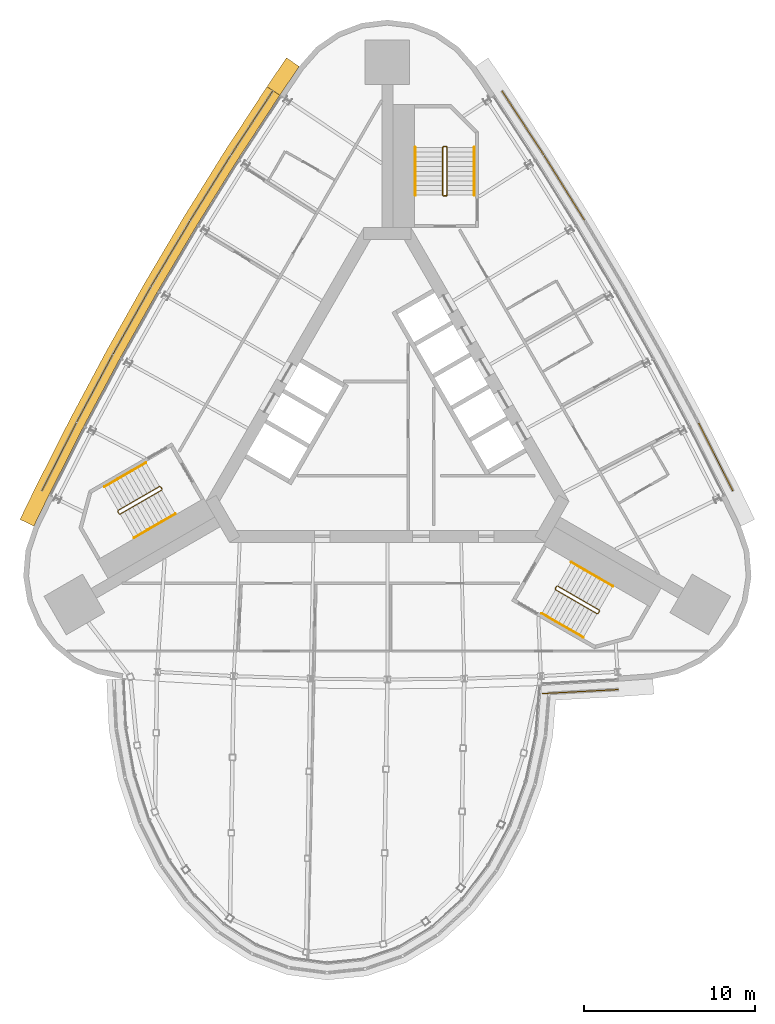
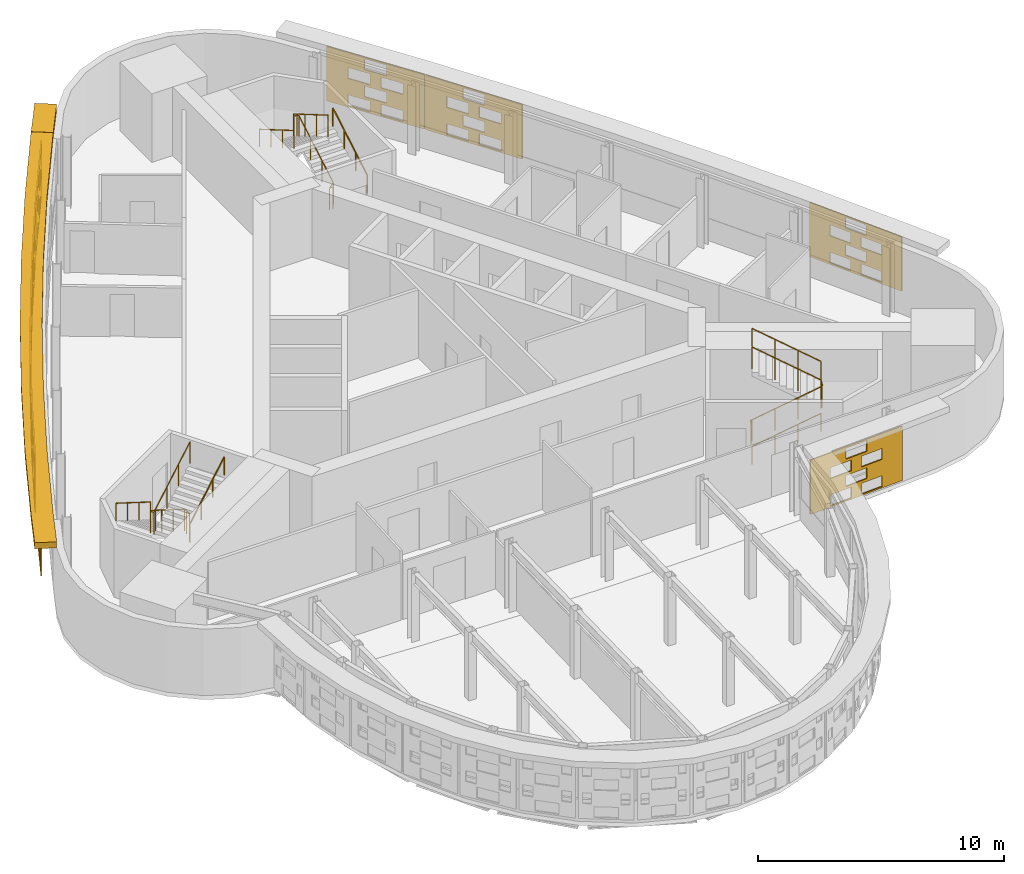
# One storey, part 14 of 15: 12 shading devices, 9 railings.
"""IFC4 building model written with IfcOpenShell, lengths in metres."""

from ifc_helpers import new_model, si_unit, direction, frame, origin, origin_2d, place, context, subcontext, project, spatial, polyline, circle, outline, extrude, material, material_profile, profile_set, type_object, element, save


model = new_model("IFC4")

# Units and contexts
model_context = context("Model", 3, precision=1e-05, world=origin(), true_north=direction((0.0, 1.0)))
body_context = subcontext(model_context, "Body", "Model", "MODEL_VIEW")
ifc_project = project(units=[si_unit("LENGTHUNIT", "METRE"), si_unit("AREAUNIT", "SQUARE_METRE"), si_unit("VOLUMEUNIT", "CUBIC_METRE"), si_unit("PLANEANGLEUNIT", "RADIAN"), si_unit("MASSUNIT", "GRAM", prefix="KILO")], contexts=[model_context])

# Site, building, storey
site_placement = place(None, origin())
site = spatial("IfcSite", under=ifc_project, at=site_placement, CompositionType="ELEMENT")
building_placement = place(site_placement, origin())
building = spatial("IfcBuilding", under=site, at=building_placement, Name="Noor Cloister Tower", CompositionType="ELEMENT")
storey_placement = place(building_placement, frame((0.0, 0.0, 225.60009765625)))
storey = spatial("IfcBuildingStorey", under=building, at=storey_placement, Name="L58", CompositionType="ELEMENT", Elevation=225.60009765625)

# Shading devices
ifc_material_1 = material(Name="Limestone", Category="masonry")
ifc_material_profile = material_profile(ifc_material_1, outline(polyline([(-2.22998046875, -1.35009765625), (2.22998046875, -1.35009765625), (2.22998046875, 1.35009765625), (-2.22998046875, 1.35009765625), (-2.22998046875, -1.35009765625)]), holes=[polyline([(-1.25, -1.282470703125), (-0.25, -1.282470703125), (-0.25, -0.742431640625), (-1.25, -0.742431640625), (-1.25, -1.282470703125)]), polyline([(0.25, -1.282470703125), (1.25, -1.282470703125), (1.25, -0.742431640625), (0.25, -0.742431640625), (0.25, -1.282470703125)]), polyline([(-0.5, -0.607421875), (0.5, -0.607421875), (0.5, -0.0673828125), (-0.5, -0.0673828125), (-0.5, -0.607421875)]), polyline([(-1.25, 0.0673828125), (-0.25, 0.0673828125), (-0.25, 0.607421875), (-1.25, 0.607421875), (-1.25, 0.0673828125)]), polyline([(0.25, 0.0673828125), (1.25, 0.0673828125), (1.25, 0.607421875), (0.25, 0.607421875), (0.25, 0.0673828125)]), polyline([(-0.5, 0.742431640625), (0.5, 0.742431640625), (0.5, 1.282470703125), (-0.5, 1.282470703125), (-0.5, 0.742431640625)])]), Name="Woven screen 35 percent open")
ifc_profile_set = profile_set([ifc_material_profile], Name="Limestone")
shading_device_type_1 = type_object("IfcShadingDeviceType", Name="SCREEN woven limestone 35 percent open", PredefinedType="USERDEFINED", material=ifc_profile_set)
shading_device_1_placement = place(storey_placement, frame((-7.889892578125, 17.56689453125, 1.849853515625), z_axis=(-0.837041537521, 0.547139346477, 0.0), x_axis=(-0.547139346477, -0.837041537521, 0.0)))
element("IfcShadingDevice", 1, at=shading_device_1_placement, inside=storey, type_object=shading_device_type_1, Name="SCREEN L58 1", ObjectType="SCREEN", PredefinedType="USERDEFINED", context=body_context, shape_type="SweptSolid", body=[
    extrude(outline(polyline([(-2.22998046875, -1.35009765625), (2.22998046875, -1.35009765625), (2.22998046875, 1.35009765625), (-2.22998046875, 1.35009765625), (-2.22998046875, -1.35009765625)]), holes=[polyline([(-1.25, -1.282470703125), (-0.25, -1.282470703125), (-0.25, -0.742431640625), (-1.25, -0.742431640625), (-1.25, -1.282470703125)]), polyline([(0.25, -1.282470703125), (1.25, -1.282470703125), (1.25, -0.742431640625), (0.25, -0.742431640625), (0.25, -1.282470703125)]), polyline([(-0.5, -0.607421875), (0.5, -0.607421875), (0.5, -0.0673828125), (-0.5, -0.0673828125), (-0.5, -0.607421875)]), polyline([(-1.25, 0.0673828125), (-0.25, 0.0673828125), (-0.25, 0.607421875), (-1.25, 0.607421875), (-1.25, 0.0673828125)]), polyline([(0.25, 0.0673828125), (1.25, 0.0673828125), (1.25, 0.607421875), (0.25, 0.607421875), (0.25, 0.0673828125)]), polyline([(-0.5, 0.742431640625), (0.5, 0.742431640625), (0.5, 1.282470703125), (-0.5, 1.282470703125), (-0.5, 0.742431640625)])]), origin(), (0.0, 0.0, 1.0), 0.059814453125),
])
for number, where, z_axis, x_axis, name in (
    (2, (-10.315185546875, 13.76513671875, 1.849853515625), (-0.849137590634, 0.528171707093, 0.0), (-0.528171707093, -0.849137590634, 0.0), "SCREEN L58 2"),
    (3, (-12.656005859375, 9.910400390625, 1.849853515625), (-0.858568146325, 0.512699461786, 0.0), (-0.512699461786, -0.858568146325, 0.0), "SCREEN L58 3"),
):
    element("IfcShadingDevice", number, at=place(storey_placement, frame(where, z_axis=z_axis, x_axis=x_axis)), inside=storey, type_object=shading_device_type_1, Name=name, ObjectType="SCREEN", PredefinedType="USERDEFINED", context=body_context, shape_type="SweptSolid", body=[
        extrude(outline(polyline([(-2.22998046875, -1.35009765625), (2.22998046875, -1.35009765625), (2.22998046875, 1.35009765625), (-2.22998046875, 1.35009765625), (-2.22998046875, -1.35009765625)]), holes=[polyline([(-1.25, -1.282470703125), (-0.25, -1.282470703125), (-0.25, -0.742431640625), (-1.25, -0.742431640625), (-1.25, -1.282470703125)]), polyline([(0.25, -1.282470703125), (1.25, -1.282470703125), (1.25, -0.742431640625), (0.25, -0.742431640625), (0.25, -1.282470703125)]), polyline([(-0.5, -0.607421875), (0.5, -0.607421875), (0.5, -0.0673828125), (-0.5, -0.0673828125), (-0.5, -0.607421875)]), polyline([(-1.25, 0.0673828125), (-0.25, 0.0673828125), (-0.25, 0.607421875), (-1.25, 0.607421875), (-1.25, 0.0673828125)]), polyline([(0.25, 0.0673828125), (1.25, 0.0673828125), (1.25, 0.607421875), (0.25, 0.607421875), (0.25, 0.0673828125)]), polyline([(-0.5, 0.742431640625), (0.5, 0.742431640625), (0.5, 1.282470703125), (-0.5, 1.282470703125), (-0.5, 0.742431640625)])]), origin(), (0.0, 0.0, 1.0), 0.06005859375),
    ])
for number, where, z_axis, x_axis, name in (
    (4, (-14.91064453125, 6.005126953125, 1.849853515625), (-0.872227864306, 0.489099736994, 0.0), (-0.489099736994, -0.872227864306, 0.0), "SCREEN L58 4"),
    (5, (-17.07861328125, 2.05078125, 1.849853515625), (-0.882692078165, 0.469951800875, 0.0), (-0.469951800875, -0.882692078165, 0.0), "SCREEN L58 5"),
):
    element("IfcShadingDevice", number, at=place(storey_placement, frame(where, z_axis=z_axis, x_axis=x_axis)), inside=storey, type_object=shading_device_type_1, Name=name, ObjectType="SCREEN", PredefinedType="USERDEFINED", context=body_context, shape_type="SweptSolid", body=[
        extrude(outline(polyline([(-2.22998046875, -1.35009765625), (2.22998046875, -1.35009765625), (2.22998046875, 1.35009765625), (-2.22998046875, 1.35009765625), (-2.22998046875, -1.35009765625)]), holes=[polyline([(-1.25, -1.282470703125), (-0.25, -1.282470703125), (-0.25, -0.742431640625), (-1.25, -0.742431640625), (-1.25, -1.282470703125)]), polyline([(0.25, -1.282470703125), (1.25, -1.282470703125), (1.25, -0.742431640625), (0.25, -0.742431640625), (0.25, -1.282470703125)]), polyline([(-0.5, -0.607421875), (0.5, -0.607421875), (0.5, -0.0673828125), (-0.5, -0.0673828125), (-0.5, -0.607421875)]), polyline([(-1.25, 0.0673828125), (-0.25, 0.0673828125), (-0.25, 0.607421875), (-1.25, 0.607421875), (-1.25, 0.0673828125)]), polyline([(0.25, 0.0673828125), (1.25, 0.0673828125), (1.25, 0.607421875), (0.25, 0.607421875), (0.25, 0.0673828125)]), polyline([(-0.5, 0.742431640625), (0.5, 0.742431640625), (0.5, 1.282470703125), (-0.5, 1.282470703125), (-0.5, 0.742431640625)])]), origin(), (0.0, 0.0, 1.0), 0.059814453125),
    ])
shading_device_2_placement = place(storey_placement, frame((-19.158203125, -1.95068359375, 1.849853515625), z_axis=(-0.89279802979, 0.450457187758, 0.0), x_axis=(-0.450457187758, -0.89279802979, 0.0)))
element("IfcShadingDevice", 6, at=shading_device_2_placement, inside=storey, type_object=shading_device_type_1, Name="SCREEN L58 6", ObjectType="SCREEN", PredefinedType="USERDEFINED", context=body_context, shape_type="SweptSolid", body=[
    extrude(outline(polyline([(-2.22998046875, -1.35009765625), (2.22998046875, -1.35009765625), (2.22998046875, 1.35009765625), (-2.22998046875, 1.35009765625), (-2.22998046875, -1.35009765625)]), holes=[polyline([(-1.25, -1.282470703125), (-0.25, -1.282470703125), (-0.25, -0.742431640625), (-1.25, -0.742431640625), (-1.25, -1.282470703125)]), polyline([(0.25, -1.282470703125), (1.25, -1.282470703125), (1.25, -0.742431640625), (0.25, -0.742431640625), (0.25, -1.282470703125)]), polyline([(-0.5, -0.607421875), (0.5, -0.607421875), (0.5, -0.0673828125), (-0.5, -0.0673828125), (-0.5, -0.607421875)]), polyline([(-1.25, 0.0673828125), (-0.25, 0.0673828125), (-0.25, 0.607421875), (-1.25, 0.607421875), (-1.25, 0.0673828125)]), polyline([(0.25, 0.0673828125), (1.25, 0.0673828125), (1.25, 0.607421875), (0.25, 0.607421875), (0.25, 0.0673828125)]), polyline([(-0.5, 0.742431640625), (0.5, 0.742431640625), (0.5, 1.282470703125), (-0.5, 1.282470703125), (-0.5, 0.742431640625)])]), origin(), (0.0, 0.0, 1.0), 0.06005859375),
])
shading_device_3_placement = place(storey_placement, frame((11.2685546875, -15.6162109375, 1.849853515625), z_axis=(0.052986685084, -0.998595218897, 0.0), x_axis=(0.998595218897, 0.052986685084, 0.0)))
element("IfcShadingDevice", 7, at=shading_device_3_placement, inside=storey, type_object=shading_device_type_1, Name="SCREEN L58 19", ObjectType="SCREEN", PredefinedType="USERDEFINED", context=body_context, shape_type="SweptSolid", body=[
    extrude(outline(polyline([(-2.22998046875, -1.35009765625), (2.22998046875, -1.35009765625), (2.22998046875, 1.35009765625), (-2.22998046875, 1.35009765625), (-2.22998046875, -1.35009765625)]), holes=[polyline([(-1.25, -1.282470703125), (-0.25, -1.282470703125), (-0.25, -0.742431640625), (-1.25, -0.742431640625), (-1.25, -1.282470703125)]), polyline([(0.25, -1.282470703125), (1.25, -1.282470703125), (1.25, -0.742431640625), (0.25, -0.742431640625), (0.25, -1.282470703125)]), polyline([(-0.5, -0.607421875), (0.5, -0.607421875), (0.5, -0.0673828125), (-0.5, -0.0673828125), (-0.5, -0.607421875)]), polyline([(-1.25, 0.0673828125), (-0.25, 0.0673828125), (-0.25, 0.607421875), (-1.25, 0.607421875), (-1.25, 0.0673828125)]), polyline([(0.25, 0.0673828125), (1.25, 0.0673828125), (1.25, 0.607421875), (0.25, 0.607421875), (0.25, 0.0673828125)]), polyline([(-0.5, 0.742431640625), (0.5, 0.742431640625), (0.5, 1.282470703125), (-0.5, 1.282470703125), (-0.5, 0.742431640625)])]), origin(), (0.0, 0.0, 1.0), 0.059814453125),
])
for number, where, z_axis, x_axis, name in (
    (8, (19.158203125, -1.95068359375, 1.849853515625), (0.89279802979, 0.450457187758, 0.0), (-0.450457187758, 0.89279802979, 0.0), "SCREEN L58 1"),
    (9, (10.315185546875, 13.76513671875, 1.849853515625), (0.849137590634, 0.528171707093, 0.0), (-0.528171707093, 0.849137590634, 0.0), "SCREEN L58 5"),
):
    element("IfcShadingDevice", number, at=place(storey_placement, frame(where, z_axis=z_axis, x_axis=x_axis)), inside=storey, type_object=shading_device_type_1, Name=name, ObjectType="SCREEN", PredefinedType="USERDEFINED", context=body_context, shape_type="SweptSolid", body=[
        extrude(outline(polyline([(-2.22998046875, -1.35009765625), (2.22998046875, -1.35009765625), (2.22998046875, 1.35009765625), (-2.22998046875, 1.35009765625), (-2.22998046875, -1.35009765625)]), holes=[polyline([(-1.25, -1.282470703125), (-0.25, -1.282470703125), (-0.25, -0.742431640625), (-1.25, -0.742431640625), (-1.25, -1.282470703125)]), polyline([(0.25, -1.282470703125), (1.25, -1.282470703125), (1.25, -0.742431640625), (0.25, -0.742431640625), (0.25, -1.282470703125)]), polyline([(-0.5, -0.607421875), (0.5, -0.607421875), (0.5, -0.0673828125), (-0.5, -0.0673828125), (-0.5, -0.607421875)]), polyline([(-1.25, 0.0673828125), (-0.25, 0.0673828125), (-0.25, 0.607421875), (-1.25, 0.607421875), (-1.25, 0.0673828125)]), polyline([(0.25, 0.0673828125), (1.25, 0.0673828125), (1.25, 0.607421875), (0.25, 0.607421875), (0.25, 0.0673828125)]), polyline([(-0.5, 0.742431640625), (0.5, 0.742431640625), (0.5, 1.282470703125), (-0.5, 1.282470703125), (-0.5, 0.742431640625)])]), origin(), (0.0, 0.0, 1.0), 0.06005859375),
    ])
shading_device_4_placement = place(storey_placement, frame((7.889892578125, 17.56689453125, 1.849853515625), z_axis=(0.837041537521, 0.547139346477, 0.0), x_axis=(-0.547139346477, 0.837041537521, 0.0)))
element("IfcShadingDevice", 10, at=shading_device_4_placement, inside=storey, type_object=shading_device_type_1, Name="SCREEN L58 6", ObjectType="SCREEN", PredefinedType="USERDEFINED", context=body_context, shape_type="SweptSolid", body=[
    extrude(outline(polyline([(-2.22998046875, -1.35009765625), (2.22998046875, -1.35009765625), (2.22998046875, 1.35009765625), (-2.22998046875, 1.35009765625), (-2.22998046875, -1.35009765625)]), holes=[polyline([(-1.25, -1.282470703125), (-0.25, -1.282470703125), (-0.25, -0.742431640625), (-1.25, -0.742431640625), (-1.25, -1.282470703125)]), polyline([(0.25, -1.282470703125), (1.25, -1.282470703125), (1.25, -0.742431640625), (0.25, -0.742431640625), (0.25, -1.282470703125)]), polyline([(-0.5, -0.607421875), (0.5, -0.607421875), (0.5, -0.0673828125), (-0.5, -0.0673828125), (-0.5, -0.607421875)]), polyline([(-1.25, 0.0673828125), (-0.25, 0.0673828125), (-0.25, 0.607421875), (-1.25, 0.607421875), (-1.25, 0.0673828125)]), polyline([(0.25, 0.0673828125), (1.25, 0.0673828125), (1.25, 0.607421875), (0.25, 0.607421875), (0.25, 0.0673828125)]), polyline([(-0.5, 0.742431640625), (0.5, 0.742431640625), (0.5, 1.282470703125), (-0.5, 1.282470703125), (-0.5, 0.742431640625)])]), origin(), (0.0, 0.0, 1.0), 0.059814453125),
])
ifc_material_2 = material(Name="Limestone", Category="masonry")
shading_device_type_2 = type_object("IfcShadingDeviceType", Name="SUNSHADE limestone band 900", PredefinedType="USERDEFINED", material=ifc_material_2)
shading_device_5_placement = place(storey_placement, frame((0.0, 0.0, 3.2998046875)))
element("IfcShadingDevice", 11, at=shading_device_5_placement, inside=storey, type_object=shading_device_type_2, Name="SUNSHADE L58 1", ObjectType="SUNSHADE", PredefinedType="USERDEFINED", context=body_context, shape_type="SweptSolid", body=[
    extrude(outline(polyline([(-7.035400390625, 19.6962890625), (-9.5029296875, 15.92138671875), (-11.8916015625, 12.084228515625), (-14.194580078125, 8.1953125), (-16.4111328125, 4.256103515625), (-18.539794921875, 0.26904296875), (-20.57861328125, -3.76171875), (-21.46533203125, -5.587158203125), (-20.65576171875, -5.98046875), (-19.772216796875, -4.16162109375), (-17.7412109375, -0.14599609375), (-15.621826171875, 3.823486328125), (-13.415283203125, 7.745361328125), (-11.122314453125, 11.6171875), (-8.744140625, 15.437255859375), (-6.2822265625, 19.2041015625), (-7.035400390625, 19.6962890625)])), origin(), (0.0, 0.0, 1.0), 0.300048828125),
])
shading_device_6_placement = place(storey_placement, frame((0.0, 0.0, 3.2998046875)))
element("IfcShadingDevice", 12, at=shading_device_6_placement, inside=storey, type_object=shading_device_type_2, Name="SUNSHADE L58 4", ObjectType="SUNSHADE", PredefinedType="USERDEFINED", context=body_context, shape_type="SweptSolid", body=[
    extrude(outline(polyline([(-5.89404296875, 21.38330078125), (-7.02734375, 19.70849609375), (-6.2822265625, 19.2041015625), (-5.148681640625, 20.87890625), (-5.89404296875, 21.38330078125)])), origin(), (0.0, 0.0, 1.0), 0.300048828125),
])

# Railings
ifc_material_3 = material(Name="Stainless steel", Category="steel")
railing_type_1 = type_object("IfcRailingType", Name="Stair guard 1100", PredefinedType="GUARDRAIL", material=ifc_material_3)
railing_1_placement = place(storey_placement, frame((3.435546875, 13.306396484375, 0.0)))
element("IfcRailing", 13, at=railing_1_placement, inside=storey, type_object=railing_type_1, Name="Stair guard ST1 L58", PredefinedType="GUARDRAIL", context=body_context, shape_type="SweptSolid", body=[
    extrude(circle(Radius=0.02392578125, at=origin_2d()), frame((0.0, 0.0, 1.076171875), z_axis=(-1.0, 0.0, 0.0), x_axis=(0.0, -1.0, 0.0)), (0.0, 0.0, 1.0), 0.14990234375),
    extrude(circle(Radius=0.02392578125, at=origin_2d()), frame((-0.14990234375, 0.0, 1.076171875), z_axis=(0.759870394187, 0.190199549216, 0.621627795), x_axis=(-0.242814311512, 0.970072785993, 0.0)), (0.0, 0.0, 1.0), 0.26318359375),
    extrude(circle(Radius=0.02392578125, at=origin_2d()), frame((0.050048828125, 0.050048828125, 1.23974609375), z_axis=(0.0, 0.863393664356, 0.504530851732), x_axis=(-1.0, 0.0, 0.0)), (0.0, 0.0, 1.0), 3.2431640625),
    extrude(circle(Radius=0.02392578125, at=origin_2d()), frame((0.050048828125, 2.85009765625, 2.8759765625), z_axis=(-0.708833529934, 0.705375805398, 0.0), x_axis=(-0.705375805398, -0.708833529934, 0.0)), (0.0, 0.0, 1.0), 0.070556640625),
    extrude(circle(Radius=0.02392578125, at=origin_2d()), frame((0.0, 2.89990234375, 2.8759765625), z_axis=(-1.0, 0.0, 0.0), x_axis=(0.0, -1.0, 0.0)), (0.0, 0.0, 1.0), 0.14990234375),
    extrude(circle(Radius=0.02392578125, at=origin_2d()), frame((-0.14990234375, 2.89990234375, 2.8759765625), z_axis=(-0.280563532951, -0.279194930351, 0.91833234444), x_axis=(0.705375805398, -0.708833529934, 0.0)), (0.0, 0.0, 1.0), 0.178466796875),
    extrude(circle(Radius=0.02392578125, at=origin_2d()), frame((-0.199951171875, 2.85009765625, 3.03955078125), z_axis=(0.0, -0.863393664356, 0.504530851732), x_axis=(1.0, 0.0, 0.0)), (0.0, 0.0, 1.0), 3.2431640625),
    extrude(circle(Radius=0.02099609375, at=origin_2d()), origin(), (0.0, 0.0, 1.0), 1.052001953125),
    extrude(circle(Radius=0.02099609375, at=origin_2d()), frame((-0.14990234375, 0.0, 0.0)), (0.0, 0.0, 1.0), 1.052001953125),
    extrude(circle(Radius=0.02099609375, at=origin_2d()), frame((0.050048828125, 0.050048828125, 0.16357421875)), (0.0, 0.0, 1.0), 1.052001953125),
    extrude(circle(Radius=0.02099609375, at=origin_2d()), frame((0.050048828125, 0.9833984375, 0.708984375)), (0.0, 0.0, 1.0), 1.052001953125),
    extrude(circle(Radius=0.02099609375, at=origin_2d()), frame((0.050048828125, 1.916748046875, 1.25439453125)), (0.0, 0.0, 1.0), 1.052001953125),
    extrude(circle(Radius=0.02099609375, at=origin_2d()), frame((0.050048828125, 2.85009765625, 1.7998046875)), (0.0, 0.0, 1.0), 1.052001953125),
    extrude(circle(Radius=0.02099609375, at=origin_2d()), frame((0.0, 2.89990234375, 1.7998046875)), (0.0, 0.0, 1.0), 1.052001953125),
    extrude(circle(Radius=0.02099609375, at=origin_2d()), frame((-0.14990234375, 2.89990234375, 1.7998046875)), (0.0, 0.0, 1.0), 1.052001953125),
    extrude(circle(Radius=0.02099609375, at=origin_2d()), frame((-0.199951171875, 2.85009765625, 1.963623046875)), (0.0, 0.0, 1.0), 1.052001953125),
    extrude(circle(Radius=0.02099609375, at=origin_2d()), frame((-0.199951171875, 1.916748046875, 2.509033203125)), (0.0, 0.0, 1.0), 1.052001953125),
    extrude(circle(Radius=0.02099609375, at=origin_2d()), frame((-0.199951171875, 0.9833984375, 3.054443359375)), (0.0, 0.0, 1.0), 1.052001953125),
    extrude(circle(Radius=0.02099609375, at=origin_2d()), frame((-0.199951171875, 0.050048828125, 3.599853515625)), (0.0, 0.0, 1.0), 1.052001953125),
])
railing_2_placement = place(storey_placement, frame((-13.241455078125, -3.677734375, 0.0)))
element("IfcRailing", 14, at=railing_2_placement, inside=storey, type_object=railing_type_1, Name="Stair guard ST2 L58", PredefinedType="GUARDRAIL", context=body_context, shape_type="SweptSolid", body=[
    extrude(circle(Radius=0.02392578125, at=origin_2d()), frame((0.0, 0.0, 1.076171875), z_axis=(0.499112439033, -0.866537231285, 0.0), x_axis=(0.866537231285, 0.499112439033, 0.0)), (0.0, 0.0, 1.0), 0.150146484375),
    extrude(circle(Radius=0.02392578125, at=origin_2d()), frame((0.074951171875, -0.130126953125, 1.076171875), z_axis=(-0.544565797804, 0.563119998752, 0.621565731736), x_axis=(-0.718850276695, -0.695164929852, 0.0)), (0.0, 0.0, 1.0), 0.26318359375),
    extrude(circle(Radius=0.02392578125, at=origin_2d()), frame((-0.068359375, 0.01806640625, 1.23974609375), z_axis=(-0.74771821388, -0.431677027627, 0.504551698492), x_axis=(0.49998411664, -0.866034573852, 0.0)), (0.0, 0.0, 1.0), 3.242919921875),
    extrude(circle(Radius=0.02392578125, at=origin_2d()), frame((-2.4931640625, -1.3818359375, 2.8759765625), z_axis=(-0.258736085224, -0.965948051503, 0.0), x_axis=(0.965948051503, -0.258736085224, 0.0)), (0.0, 0.0, 1.0), 0.07080078125),
    extrude(circle(Radius=0.02392578125, at=origin_2d()), frame((-2.511474609375, -1.4501953125, 2.8759765625), z_axis=(0.499816412211, -0.866131372301, 0.0), x_axis=(0.866131372301, 0.499816412211, 0.0)), (0.0, 0.0, 1.0), 0.14990234375),
    extrude(circle(Radius=0.02392578125, at=origin_2d()), frame((-2.4365234375, -1.580078125, 2.8759765625), z_axis=(0.383070988865, -0.102608300589, 0.918002262601), x_axis=(0.258736085224, 0.965948051503, 0.0)), (0.0, 0.0, 1.0), 0.178466796875),
    extrude(circle(Radius=0.02392578125, at=origin_2d()), frame((-2.3681640625, -1.598388671875, 3.03955078125), z_axis=(0.747693913401, 0.431738279637, 0.504535300807), x_axis=(-0.500049511043, 0.865996816683, 0.0)), (0.0, 0.0, 1.0), 3.2431640625),
    extrude(circle(Radius=0.02099609375, at=origin_2d()), origin(), (0.0, 0.0, 1.0), 1.052001953125),
    extrude(circle(Radius=0.02099609375, at=origin_2d()), frame((0.074951171875, -0.130126953125, 0.0)), (0.0, 0.0, 1.0), 1.052001953125),
    extrude(circle(Radius=0.02099609375, at=origin_2d()), frame((-0.068359375, 0.01806640625, 0.16357421875)), (0.0, 0.0, 1.0), 1.052001953125),
    extrude(circle(Radius=0.02099609375, at=origin_2d()), frame((-0.876708984375, -0.448486328125, 0.708984375)), (0.0, 0.0, 1.0), 1.052001953125),
    extrude(circle(Radius=0.02099609375, at=origin_2d()), frame((-1.684814453125, -0.915283203125, 1.25439453125)), (0.0, 0.0, 1.0), 1.052001953125),
    extrude(circle(Radius=0.02099609375, at=origin_2d()), frame((-2.4931640625, -1.3818359375, 1.7998046875)), (0.0, 0.0, 1.0), 1.052001953125),
    extrude(circle(Radius=0.02099609375, at=origin_2d()), frame((-2.511474609375, -1.4501953125, 1.7998046875)), (0.0, 0.0, 1.0), 1.052001953125),
    extrude(circle(Radius=0.02099609375, at=origin_2d()), frame((-2.4365234375, -1.580078125, 1.7998046875)), (0.0, 0.0, 1.0), 1.052001953125),
    extrude(circle(Radius=0.02099609375, at=origin_2d()), frame((-2.3681640625, -1.598388671875, 1.963623046875)), (0.0, 0.0, 1.0), 1.052001953125),
    extrude(circle(Radius=0.02099609375, at=origin_2d()), frame((-1.559814453125, -1.131591796875, 2.509033203125)), (0.0, 0.0, 1.0), 1.052001953125),
    extrude(circle(Radius=0.02099609375, at=origin_2d()), frame((-0.751708984375, -0.6650390625, 3.054443359375)), (0.0, 0.0, 1.0), 1.052001953125),
    extrude(circle(Radius=0.02099609375, at=origin_2d()), frame((0.056640625, -0.1982421875, 3.599853515625)), (0.0, 0.0, 1.0), 1.052001953125),
])
railing_3_placement = place(storey_placement, frame((9.805908203125, -9.628662109375, 0.0)))
element("IfcRailing", 15, at=railing_3_placement, inside=storey, type_object=railing_type_1, Name="Stair guard ST3 L58", PredefinedType="GUARDRAIL", context=body_context, shape_type="SweptSolid", body=[
    extrude(circle(Radius=0.02392578125, at=origin_2d()), frame((0.0, 0.0, 1.076171875), z_axis=(0.499112439033, 0.866537231285, 0.0), x_axis=(-0.866537231285, 0.499112439033, 0.0)), (0.0, 0.0, 1.0), 0.150146484375),
    extrude(circle(Radius=0.02392578125, at=origin_2d()), frame((0.074951171875, 0.130126953125, 1.076171875), z_axis=(-0.215214839654, -0.753251938789, 0.621525614518), x_axis=(0.961523947641, -0.274721127897, 0.0)), (0.0, 0.0, 1.0), 0.26318359375),
    extrude(circle(Radius=0.02392578125, at=origin_2d()), frame((0.018310546875, -0.068115234375, 1.23974609375), z_axis=(0.747693913401, -0.431738279637, 0.504535300807), x_axis=(0.500049511043, 0.865996816683, 0.0)), (0.0, 0.0, 1.0), 3.2431640625),
    extrude(circle(Radius=0.02392578125, at=origin_2d()), frame((2.443115234375, -1.46826171875, 2.8759765625), z_axis=(0.965948051503, 0.258736085224, 0.0), x_axis=(-0.258736085224, 0.965948051503, 0.0)), (0.0, 0.0, 1.0), 0.07080078125),
    extrude(circle(Radius=0.02392578125, at=origin_2d()), frame((2.511474609375, -1.449951171875, 2.8759765625), z_axis=(0.499816412211, 0.866131372301, 0.0), x_axis=(-0.866131372301, 0.499816412211, 0.0)), (0.0, 0.0, 1.0), 0.14990234375),
    extrude(circle(Radius=0.02392578125, at=origin_2d()), frame((2.58642578125, -1.320068359375, 2.8759765625), z_axis=(-0.102608300589, 0.383070988865, 0.918002262601), x_axis=(-0.965948051503, -0.258736085224, 0.0)), (0.0, 0.0, 1.0), 0.178466796875),
    extrude(circle(Radius=0.02392578125, at=origin_2d()), frame((2.568115234375, -1.251708984375, 3.03955078125), z_axis=(-0.74771821388, 0.431677027627, 0.504551698492), x_axis=(-0.49998411664, -0.866034573852, 0.0)), (0.0, 0.0, 1.0), 3.242919921875),
    extrude(circle(Radius=0.02099609375, at=origin_2d()), origin(), (0.0, 0.0, 1.0), 1.052001953125),
    extrude(circle(Radius=0.02099609375, at=origin_2d()), frame((0.074951171875, 0.130126953125, 0.0)), (0.0, 0.0, 1.0), 1.052001953125),
    extrude(circle(Radius=0.02099609375, at=origin_2d()), frame((0.018310546875, -0.068115234375, 0.16357421875)), (0.0, 0.0, 1.0), 1.052001953125),
    extrude(circle(Radius=0.02099609375, at=origin_2d()), frame((0.82666015625, -0.534912109375, 0.708984375)), (0.0, 0.0, 1.0), 1.052001953125),
    extrude(circle(Radius=0.02099609375, at=origin_2d()), frame((1.634765625, -1.00146484375, 1.25439453125)), (0.0, 0.0, 1.0), 1.052001953125),
    extrude(circle(Radius=0.02099609375, at=origin_2d()), frame((2.443115234375, -1.46826171875, 1.7998046875)), (0.0, 0.0, 1.0), 1.052001953125),
    extrude(circle(Radius=0.02099609375, at=origin_2d()), frame((2.511474609375, -1.449951171875, 1.7998046875)), (0.0, 0.0, 1.0), 1.052001953125),
    extrude(circle(Radius=0.02099609375, at=origin_2d()), frame((2.58642578125, -1.320068359375, 1.7998046875)), (0.0, 0.0, 1.0), 1.052001953125),
    extrude(circle(Radius=0.02099609375, at=origin_2d()), frame((2.568115234375, -1.251708984375, 1.963623046875)), (0.0, 0.0, 1.0), 1.052001953125),
    extrude(circle(Radius=0.02099609375, at=origin_2d()), frame((1.759765625, -0.78515625, 2.509033203125)), (0.0, 0.0, 1.0), 1.052001953125),
    extrude(circle(Radius=0.02099609375, at=origin_2d()), frame((0.95166015625, -0.318359375, 3.054443359375)), (0.0, 0.0, 1.0), 1.052001953125),
    extrude(circle(Radius=0.02099609375, at=origin_2d()), frame((0.143310546875, 0.148193359375, 3.599853515625)), (0.0, 0.0, 1.0), 1.052001953125),
])
ifc_material_4 = material(Name="Stainless steel", Category="steel")
railing_type_2 = type_object("IfcRailingType", Name="Stair handrail 900", PredefinedType="HANDRAIL", material=ifc_material_4)
railing_4_placement = place(storey_placement, frame((5.085693359375, 13.3564453125, 0.16357421875)))
element("IfcRailing", 16, at=railing_4_placement, inside=storey, type_object=railing_type_2, Name="Stair handrail ST1 L58 1", PredefinedType="HANDRAIL", context=body_context, shape_type="SweptSolid", body=[
    extrude(circle(Radius=0.02392578125, at=origin_2d()), frame((0.0, 0.0, 0.8759765625), z_axis=(0.0, 0.863393664356, 0.504530851732), x_axis=(-1.0, 0.0, 0.0)), (0.0, 0.0, 1.0), 3.2431640625),
    extrude(circle(Radius=0.02099609375, at=origin_2d()), origin(), (0.0, 0.0, 1.0), 0.851806640625),
    extrude(circle(Radius=0.02099609375, at=origin_2d()), frame((0.0, 0.933349609375, 0.54541015625)), (0.0, 0.0, 1.0), 0.851806640625),
    extrude(circle(Radius=0.02099609375, at=origin_2d()), frame((0.0, 1.86669921875, 1.0908203125)), (0.0, 0.0, 1.0), 0.851806640625),
    extrude(circle(Radius=0.02099609375, at=origin_2d()), frame((0.0, 2.800048828125, 1.63623046875)), (0.0, 0.0, 1.0), 0.851806640625),
])
railing_5_placement = place(storey_placement, frame((1.6357421875, 16.156494140625, 1.963623046875)))
element("IfcRailing", 17, at=railing_5_placement, inside=storey, type_object=railing_type_2, Name="Stair handrail ST1 L58 2", PredefinedType="HANDRAIL", context=body_context, shape_type="SweptSolid", body=[
    extrude(circle(Radius=0.02392578125, at=origin_2d()), frame((0.0, 0.0, 0.8759765625), z_axis=(0.0, -0.863393664356, 0.504530851732), x_axis=(1.0, 0.0, 0.0)), (0.0, 0.0, 1.0), 3.2431640625),
    extrude(circle(Radius=0.02099609375, at=origin_2d()), origin(), (0.0, 0.0, 1.0), 0.851806640625),
    extrude(circle(Radius=0.02099609375, at=origin_2d()), frame((0.0, -0.933349609375, 0.54541015625)), (0.0, 0.0, 1.0), 0.851806640625),
    extrude(circle(Radius=0.02099609375, at=origin_2d()), frame((0.0, -1.86669921875, 1.0908203125)), (0.0, 0.0, 1.0), 0.851806640625),
    extrude(circle(Radius=0.02099609375, at=origin_2d()), frame((0.0, -2.800048828125, 1.63623046875)), (0.0, 0.0, 1.0), 0.851806640625),
])
railing_6_placement = place(storey_placement, frame((-14.10986328125, -2.27392578125, 0.16357421875)))
element("IfcRailing", 18, at=railing_6_placement, inside=storey, type_object=railing_type_2, Name="Stair handrail ST2 L58 1", PredefinedType="HANDRAIL", context=body_context, shape_type="SweptSolid", body=[
    extrude(circle(Radius=0.02392578125, at=origin_2d()), frame((0.0, 0.0, 0.8759765625), z_axis=(-0.74771821388, -0.431677027627, 0.504551698492), x_axis=(0.49998411664, -0.866034573852, 0.0)), (0.0, 0.0, 1.0), 3.242919921875),
    extrude(circle(Radius=0.02099609375, at=origin_2d()), origin(), (0.0, 0.0, 1.0), 0.851806640625),
    extrude(circle(Radius=0.02099609375, at=origin_2d()), frame((-0.808349609375, -0.466552734375, 0.54541015625)), (0.0, 0.0, 1.0), 0.851806640625),
    extrude(circle(Radius=0.02099609375, at=origin_2d()), frame((-1.616455078125, -0.933349609375, 1.0908203125)), (0.0, 0.0, 1.0), 0.851806640625),
    extrude(circle(Radius=0.02099609375, at=origin_2d()), frame((-2.4248046875, -1.39990234375, 1.63623046875)), (0.0, 0.0, 1.0), 0.851806640625),
])
railing_7_placement = place(storey_placement, frame((-14.8095703125, -6.66162109375, 1.963623046875)))
element("IfcRailing", 19, at=railing_7_placement, inside=storey, type_object=railing_type_2, Name="Stair handrail ST2 L58 2", PredefinedType="HANDRAIL", context=body_context, shape_type="SweptSolid", body=[
    extrude(circle(Radius=0.02392578125, at=origin_2d()), frame((0.0, 0.0, 0.8759765625), z_axis=(0.74771821388, 0.431677027627, 0.504551698492), x_axis=(-0.49998411664, 0.866034573852, 0.0)), (0.0, 0.0, 1.0), 3.242919921875),
    extrude(circle(Radius=0.02099609375, at=origin_2d()), origin(), (0.0, 0.0, 1.0), 0.851806640625),
    extrude(circle(Radius=0.02099609375, at=origin_2d()), frame((0.808349609375, 0.466552734375, 0.54541015625)), (0.0, 0.0, 1.0), 0.851806640625),
    extrude(circle(Radius=0.02099609375, at=origin_2d()), frame((1.616455078125, 0.933349609375, 1.0908203125)), (0.0, 0.0, 1.0), 0.851806640625),
    extrude(circle(Radius=0.02099609375, at=origin_2d()), frame((2.4248046875, 1.39990234375, 1.63623046875)), (0.0, 0.0, 1.0), 0.851806640625),
])
railing_8_placement = place(storey_placement, frame((9.024169921875, -11.08251953125, 0.16357421875)))
element("IfcRailing", 20, at=railing_8_placement, inside=storey, type_object=railing_type_2, Name="Stair handrail ST3 L58 1", PredefinedType="HANDRAIL", context=body_context, shape_type="SweptSolid", body=[
    extrude(circle(Radius=0.02392578125, at=origin_2d()), frame((0.0, 0.0, 0.8759765625), z_axis=(0.74771821388, -0.431677027627, 0.504551698492), x_axis=(0.49998411664, 0.866034573852, 0.0)), (0.0, 0.0, 1.0), 3.242919921875),
    extrude(circle(Radius=0.02099609375, at=origin_2d()), origin(), (0.0, 0.0, 1.0), 0.851806640625),
    extrude(circle(Radius=0.02099609375, at=origin_2d()), frame((0.808349609375, -0.466552734375, 0.54541015625)), (0.0, 0.0, 1.0), 0.851806640625),
    extrude(circle(Radius=0.02099609375, at=origin_2d()), frame((1.616455078125, -0.933349609375, 1.0908203125)), (0.0, 0.0, 1.0), 0.851806640625),
    extrude(circle(Radius=0.02099609375, at=origin_2d()), frame((2.4248046875, -1.39990234375, 1.63623046875)), (0.0, 0.0, 1.0), 0.851806640625),
])
railing_9_placement = place(storey_placement, frame((13.174072265625, -9.49462890625, 1.963623046875)))
element("IfcRailing", 21, at=railing_9_placement, inside=storey, type_object=railing_type_2, Name="Stair handrail ST3 L58 2", PredefinedType="HANDRAIL", context=body_context, shape_type="SweptSolid", body=[
    extrude(circle(Radius=0.02392578125, at=origin_2d()), frame((0.0, 0.0, 0.8759765625), z_axis=(-0.74771821388, 0.431677027627, 0.504551698492), x_axis=(-0.49998411664, -0.866034573852, 0.0)), (0.0, 0.0, 1.0), 3.242919921875),
    extrude(circle(Radius=0.02099609375, at=origin_2d()), origin(), (0.0, 0.0, 1.0), 0.851806640625),
    extrude(circle(Radius=0.02099609375, at=origin_2d()), frame((-0.808349609375, 0.466552734375, 0.54541015625)), (0.0, 0.0, 1.0), 0.851806640625),
    extrude(circle(Radius=0.02099609375, at=origin_2d()), frame((-1.616455078125, 0.933349609375, 1.0908203125)), (0.0, 0.0, 1.0), 0.851806640625),
    extrude(circle(Radius=0.02099609375, at=origin_2d()), frame((-2.4248046875, 1.39990234375, 1.63623046875)), (0.0, 0.0, 1.0), 0.851806640625),
])

save(model, "model.ifc")
